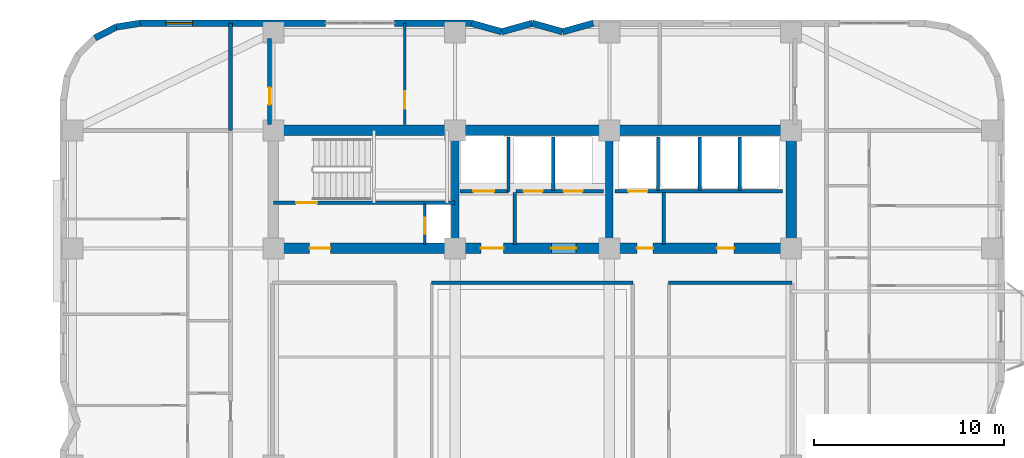
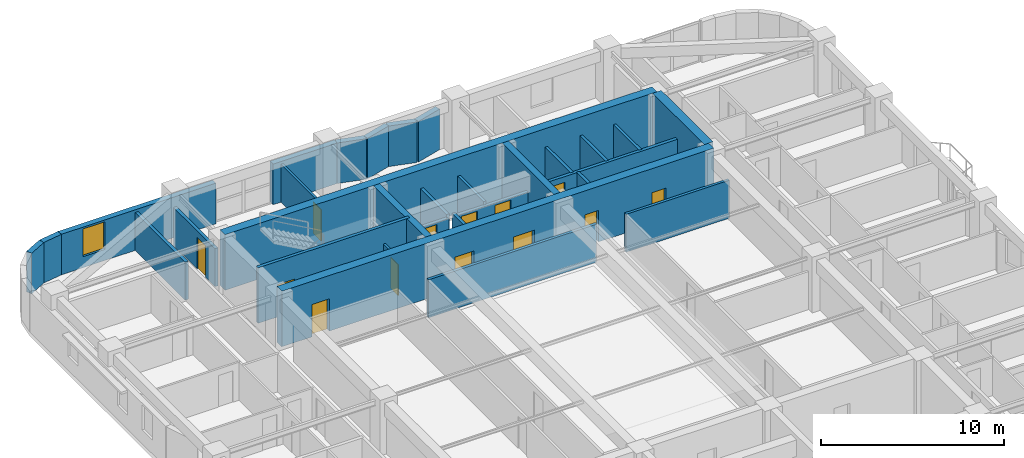
# One storey, part 11 of 15: 30 walls, 13 doors, 1 window, 14 openings.
"""IFC4 building model written with IfcOpenShell, lengths in metres."""

import ifcopenshell
import ifcopenshell.guid

model = None  # the IFC model being written
_history = None  # IfcOwnerHistory: only IFC2X3 demands one
_inside = {}  # id of a spatial element -> (the spatial element, [elements in it])
_under = {}  # id of a project, library or spatial element -> (it, [spatial elements below it])
_declared = {}  # id of a project -> (the project, [libraries it declares])
_typed = {}  # id of a type object -> (the type object, [elements of that type])
_made_of = {}  # id of a material, layer set ... -> (it, [elements and type objects made of it])


def new_model(schema):
    """Start an empty IFC model of exactly this schema.

    Asked for "IFC4X3", IfcOpenShell would pick the latest addendum, in which some entities
    have other attributes; the version numbers below select the first issue.
    IFC2X3 requires an IfcOwnerHistory on every rooted entity: one is made here for all.
    """
    global model, _history
    if schema == "IFC4X3":
        model = ifcopenshell.file(schema_version=(4, 3, 0, 0))
    else:
        model = ifcopenshell.file(schema=schema)
    _inside.clear()
    _under.clear()
    _declared.clear()
    _typed.clear()
    _made_of.clear()
    _history = None
    if model.schema == "IFC2X3":
        org = make("IfcOrganization", Name="unknown")
        user = make(
            "IfcPersonAndOrganization",
            ThePerson=make("IfcPerson", FamilyName="unknown"),
            TheOrganization=org,
        )
        app = make(
            "IfcApplication",
            ApplicationDeveloper=org,
            Version="unknown",
            ApplicationFullName="unknown",
            ApplicationIdentifier="unknown",
        )
        _history = make(
            "IfcOwnerHistory",
            OwningUser=user,
            OwningApplication=app,
            ChangeAction="ADDED",
            CreationDate=0,
        )
    return model


def make(cls, **values):
    """One entity of the class cls with the attributes given. An attribute that is None is left unset."""
    return model.create_entity(
        cls, **{name: value for name, value in values.items() if value is not None}
    )


def rooted(cls, **values):
    """An entity with a GlobalId (a new one), such as an element, a storey or a relation."""
    return make(cls, GlobalId=ifcopenshell.guid.new(), OwnerHistory=_history, **values)


def si_unit(unit_type, name, prefix=None):
    """IfcSIUnit, for example si_unit("LENGTHUNIT", "METRE", prefix="MILLI")."""
    return make("IfcSIUnit", UnitType=unit_type, Prefix=prefix, Name=name)


def assignment(units):
    """IfcUnitAssignment: the units of a project."""
    return None if units is None else make("IfcUnitAssignment", Units=units)


def point(xyz):
    """IfcCartesianPoint."""
    return None if xyz is None else make("IfcCartesianPoint", Coordinates=xyz)


def direction(xyz):
    """IfcDirection."""
    return None if xyz is None else make("IfcDirection", DirectionRatios=xyz)


def frame(location, z_axis=None, x_axis=None):
    """IfcAxis2Placement3D, a coordinate frame: its origin and axes. An axis left out is left unset."""
    return make(
        "IfcAxis2Placement3D",
        Location=point(location),
        Axis=direction(z_axis),
        RefDirection=direction(x_axis),
    )


def frame_2d(location, x_axis=None):
    """IfcAxis2Placement2D, a coordinate frame in the plane: its origin and x axis."""
    return make(
        "IfcAxis2Placement2D", Location=point(location), RefDirection=direction(x_axis)
    )


def origin():
    """The frame at (0, 0, 0) with its axes left unset."""
    return frame((0.0, 0.0, 0.0))


def place(relative_to, where):
    """IfcLocalPlacement: puts the frame where relative to a parent placement (None: the world)."""
    return make(
        "IfcLocalPlacement", PlacementRelTo=relative_to, RelativePlacement=where
    )


def context(
    kind, dimensions, precision=None, world=None, true_north=None, identifier=None
):
    """IfcGeometricRepresentationContext, for example the 3D "Model" context."""
    return make(
        "IfcGeometricRepresentationContext",
        ContextIdentifier=identifier,
        ContextType=kind,
        CoordinateSpaceDimension=dimensions,
        Precision=precision,
        WorldCoordinateSystem=world,
        TrueNorth=true_north,
    )


def subcontext(parent, identifier, kind, view, scale=None):
    """IfcGeometricRepresentationSubContext, for example "Body" below "Model"."""
    return make(
        "IfcGeometricRepresentationSubContext",
        ContextIdentifier=identifier,
        ContextType=kind,
        ParentContext=parent,
        TargetScale=scale,
        TargetView=view,
    )


def project(units=None, contexts=None):
    """IfcProject with its units and contexts."""
    return rooted(
        "IfcProject",
        Name="project",
        RepresentationContexts=contexts,
        UnitsInContext=assignment(units),
    )


def spatial(cls, under=None, at=None, **own):
    """A site, building, storey or space (cls), placed at a placement, below another one or the project."""
    s = rooted(cls, ObjectPlacement=at, **own)
    if under is not None:
        _under.setdefault(under.id(), (under, []))[1].append(s)
    return s


def profile(cls, at=None, kind="AREA", **sizes):
    """A parametric profile (cls). Its sizes go by their IFC names, for example OverallWidth=200.0."""
    return make(cls, ProfileType=kind, Position=at, **sizes)


def rectangle(**sizes):
    """IfcRectangleProfileDef."""
    return profile("IfcRectangleProfileDef", **sizes)


def extrude(swept, where, along, depth):
    """IfcExtrudedAreaSolid: the profile swept, set in the frame where, extruded along a direction by depth."""
    return make(
        "IfcExtrudedAreaSolid",
        SweptArea=swept,
        Position=where,
        ExtrudedDirection=direction(along),
        Depth=depth,
    )


def shape(context_of_items, identifier, shape_type, items):
    """IfcShapeRepresentation: the items that make up one representation, for example the "Body"."""
    return make(
        "IfcShapeRepresentation",
        ContextOfItems=context_of_items,
        RepresentationIdentifier=identifier,
        RepresentationType=shape_type,
        Items=items,
    )


def material(Name=None, Category=None):
    """IfcMaterial."""
    return make("IfcMaterial", Name=Name, Category=Category)


def layer(
    of_material, thickness, ventilated=None, Name=None, Category=None, Priority=None
):
    """IfcMaterialLayer: one layer of a wall or slab, of a material (None: an air gap)."""
    return make(
        "IfcMaterialLayer",
        Material=of_material,
        LayerThickness=thickness,
        IsVentilated=ventilated,
        Name=Name,
        Category=Category,
        Priority=Priority,
    )


def layer_set(layers, Name=None):
    """IfcMaterialLayerSet."""
    return make("IfcMaterialLayerSet", MaterialLayers=layers, LayerSetName=Name)


def made_of(thing, what):
    """Note that an element or type object is made of a material, layer set ...; save() writes the relation."""
    if what is not None:
        _made_of.setdefault(what.id(), (what, []))[1].append(thing)
    return thing


def type_object(cls, material=None, **own):
    """A type object (cls), such as IfcWallType, which elements share."""
    return made_of(rooted(cls, **own), material)


def element(
    cls,
    number,
    at=None,
    inside=None,
    cuts=None,
    type_object=None,
    material=None,
    context=None,
    identifier="Body",
    shape_type=None,
    held_by="IfcProductDefinitionShape",
    body=None,
    shapes=None,
    **own,
):
    """One element of the class cls, such as IfcWall. Its Tag is "e" and its number.

    at: its placement. inside: the storey or other place that contains it. cuts: it is an
    opening in that element (IfcRelVoidsElement). A single representation is given by context,
    identifier, shape_type and body (its items); several are given by shapes. held_by: the class
    of the entity that holds the representations. save() writes the other relations.
    """
    e = rooted(cls, Tag="e%d" % number, ObjectPlacement=at, **own)
    if body is not None:
        shapes = [shape(context, identifier, shape_type, body)]
    if shapes is not None:
        e.Representation = make(held_by, Representations=shapes)
    if inside is not None:
        _inside.setdefault(inside.id(), (inside, []))[1].append(e)
    if cuts is not None:
        rooted(
            "IfcRelVoidsElement", RelatingBuildingElement=cuts, RelatedOpeningElement=e
        )
    if type_object is not None:
        _typed.setdefault(type_object.id(), (type_object, []))[1].append(e)
    return made_of(e, material)


def fill(opening, filler):
    """IfcRelFillsElement: the door or window that sits in an opening."""
    return rooted(
        "IfcRelFillsElement",
        RelatingOpeningElement=opening,
        RelatedBuildingElement=filler,
    )


def aggregate(whole, parts):
    """IfcRelAggregates: a whole, such as a stair, and the parts it consists of."""
    return rooted("IfcRelAggregates", RelatingObject=whole, RelatedObjects=parts)


def save(model, path):
    """Write the relations noted so far, then the file.

    IfcRelAggregates (storeys below a building ...), IfcRelContainedInSpatialStructure (elements
    in a storey), IfcRelDefinesByType, IfcRelAssociatesMaterial and IfcRelDeclares: one each for
    every whole, place, type object, material and project.
    """
    for whole, parts in _under.values():
        aggregate(whole, parts)
    for where, things in _inside.values():
        rooted(
            "IfcRelContainedInSpatialStructure",
            RelatedElements=things,
            RelatingStructure=where,
        )
    for kind, things in _typed.values():
        rooted("IfcRelDefinesByType", RelatedObjects=things, RelatingType=kind)
    for what, things in _made_of.values():
        rooted("IfcRelAssociatesMaterial", RelatedObjects=things, RelatingMaterial=what)
    for by, libraries in _declared.values():
        rooted("IfcRelDeclares", RelatingContext=by, RelatedDefinitions=libraries)
    model.write(path)


model = new_model("IFC4")

# Units and contexts
model_context = context("Model", 3, precision=1e-05, world=origin(), true_north=direction((0.0, 1.0)))
body_context = subcontext(model_context, "Body", "Model", "MODEL_VIEW")
ifc_project = project(units=[si_unit("LENGTHUNIT", "METRE"), si_unit("AREAUNIT", "SQUARE_METRE"), si_unit("VOLUMEUNIT", "CUBIC_METRE"), si_unit("PLANEANGLEUNIT", "RADIAN"), si_unit("MASSUNIT", "GRAM", prefix="KILO")], contexts=[model_context])

# Site, building, storey
site_placement = place(None, origin())
site = spatial("IfcSite", under=ifc_project, at=site_placement, CompositionType="ELEMENT")
building_placement = place(site_placement, origin())
building = spatial("IfcBuilding", under=site, at=building_placement, Name="Svetorya Sky Lyceum", CompositionType="ELEMENT")
storey_placement = place(building_placement, frame((0.0, 0.0, 117.89990234375)))
storey = spatial("IfcBuildingStorey", under=building, at=storey_placement, Name="L29", CompositionType="ELEMENT", Elevation=117.89990234375)

# Walls
ifc_material_1 = material(Name="Concrete C40/50", Category="concrete")
ifc_layer_1 = layer(ifc_material_1, 0.39990234375)
ifc_layer_set_1 = layer_set([ifc_layer_1], Name="Concrete C40/50")
wall_type_1 = type_object("IfcWallType", Name="WL-CORE-400", PredefinedType="SHEAR", material=ifc_layer_set_1)
for number, where, z_axis, x_axis, name in (
    (1, (35.14990234375, 39.875, 0.0), (0.0, 0.0, 1.0), (0.0, 1.0, 0.0), "L29 NC Internal Shear Web WEB1"),
    (2, (43.25, 39.875, 0.0), (0.0, 0.0, 1.0), (0.0, 1.0, 0.0), "L29 NC Internal Shear Web WEB2"),
):
    element("IfcWall", number, at=place(storey_placement, frame(where, z_axis=z_axis, x_axis=x_axis)), inside=storey, type_object=wall_type_1, Name=name, PredefinedType="SHEAR", context=body_context, shape_type="SweptSolid", body=[
        extrude(rectangle(XDim=5.64990234375, YDim=0.39990234375, at=frame_2d((2.824951171875, 0.0))), origin(), (0.0, 0.0, 1.0), 3.7001953125),
    ])
ifc_material_2 = material(Name="Concrete C60/75", Category="concrete")
ifc_layer_2 = layer(ifc_material_2, 0.550048828125)
ifc_layer_set_2 = layer_set([ifc_layer_2], Name="Concrete C60/75")
wall_type_2 = type_object("IfcWallType", Name="WL-CORE-550", PredefinedType="SHEAR", material=ifc_layer_set_2)
wall_1_placement = place(storey_placement, frame((25.60009765625, 45.800048828125, 0.0), z_axis=(0.0, 0.0, 1.0), x_axis=(1.0, 0.0, 0.0)))
element("IfcWall", 3, at=wall_1_placement, inside=storey, type_object=wall_type_2, Name="L29 NC Outer Core Shear Wall", PredefinedType="SHEAR", context=body_context, shape_type="SweptSolid", body=[
    extrude(rectangle(XDim=27.199951171875, YDim=0.550048828125, at=frame_2d((13.60009765625, 0.0))), origin(), (0.0, 0.0, 1.0), 3.7001953125),
])
wall_2_placement = place(storey_placement, frame((52.800048828125, 39.875, 0.0), z_axis=(0.0, 0.0, 1.0), x_axis=(0.0, 1.0, 0.0)))
element("IfcWall", 4, at=wall_2_placement, inside=storey, type_object=wall_type_2, Name="L29 NC East Core Shear Wall", PredefinedType="SHEAR", context=body_context, shape_type="SweptSolid", body=[
    extrude(rectangle(XDim=5.64990234375, YDim=0.550048828125, at=frame_2d((2.824951171875, 0.0))), origin(), (0.0, 0.0, 1.0), 3.7001953125),
])

# Wall, openings, doors
wall_3_placement = place(storey_placement, frame((52.800048828125, 39.60009765625, 0.0), z_axis=(0.0, 0.0, 1.0), x_axis=(-1.0, 0.0, 0.0)))
wall_3 = element("IfcWall", 5, at=wall_3_placement, inside=storey, type_object=wall_type_2, Name="L29 NC Inner Core Shear Wall", PredefinedType="SHEAR", context=body_context, shape_type="SweptSolid", body=[
    extrude(rectangle(XDim=27.199951171875, YDim=0.550048828125, at=frame_2d((13.60009765625, 0.0))), origin(), (0.0, 0.0, 1.0), 3.7001953125),
])
opening_1_placement = place(wall_3_placement, frame((24.199951171875, 0.0, 0.0)))
opening_1 = element("IfcOpeningElement", 6, at=opening_1_placement, cuts=wall_3, Name="Opening D-ST1", PredefinedType="OPENING", context=body_context, shape_type="SweptSolid", body=[
    extrude(rectangle(XDim=1.10009765625, YDim=2.14990234375, at=frame_2d((0.550048828125, 1.074951171875))), frame((0.0, 0.284912109375, 0.0), z_axis=(0.0, -1.0, 0.0), x_axis=(1.0, 0.0, 0.0)), (0.0, 0.0, 1.0), 0.570068359375),
])
opening_2_placement = place(wall_3_placement, frame((15.10009765625, 0.0, 0.0)))
opening_2 = element("IfcOpeningElement", 7, at=opening_2_placement, cuts=wall_3, Name="Opening D-FL1", PredefinedType="OPENING", context=body_context, shape_type="SweptSolid", body=[
    extrude(rectangle(XDim=1.199951171875, YDim=2.14990234375, at=frame_2d((0.60009765625, 1.074951171875))), frame((0.0, 0.284912109375, 0.0), z_axis=(0.0, -1.0, 0.0), x_axis=(1.0, 0.0, 0.0)), (0.0, 0.0, 1.0), 0.570068359375),
])
opening_3_placement = place(wall_3_placement, frame((11.300048828125, 0.0, 0.0)))
opening_3 = element("IfcOpeningElement", 8, at=opening_3_placement, cuts=wall_3, Name="Opening D-LB1", PredefinedType="OPENING", context=body_context, shape_type="SweptSolid", body=[
    extrude(rectangle(XDim=1.300048828125, YDim=2.199951171875, at=frame_2d((0.64990234375, 1.10009765625))), frame((0.0, 0.284912109375, 0.0), z_axis=(0.0, -1.0, 0.0), x_axis=(1.0, 0.0, 0.0)), (0.0, 0.0, 1.0), 0.570068359375),
])
opening_4_placement = place(wall_3_placement, frame((7.25, 0.0, 0.0)))
opening_4 = element("IfcOpeningElement", 9, at=opening_4_placement, cuts=wall_3, Name="Opening D-CWC1", PredefinedType="OPENING", context=body_context, shape_type="SweptSolid", body=[
    extrude(rectangle(XDim=0.85009765625, YDim=2.10009765625, at=frame_2d((0.425048828125, 1.050048828125))), frame((0.0, 0.284912109375, 0.0), z_axis=(0.0, -1.0, 0.0), x_axis=(1.0, 0.0, 0.0)), (0.0, 0.0, 1.0), 0.570068359375),
])
opening_5_placement = place(wall_3_placement, frame((3.0, 0.0, 0.0)))
opening_5 = element("IfcOpeningElement", 10, at=opening_5_placement, cuts=wall_3, Name="Opening D-RM1", PredefinedType="OPENING", context=body_context, shape_type="SweptSolid", body=[
    extrude(rectangle(XDim=0.89990234375, YDim=2.10009765625, at=frame_2d((0.449951171875, 1.050048828125))), frame((0.0, 0.284912109375, 0.0), z_axis=(0.0, -1.0, 0.0), x_axis=(1.0, 0.0, 0.0)), (0.0, 0.0, 1.0), 0.570068359375),
])
ifc_material_3 = material(Name="Fire-rated galvanized steel core service closet door", Category="steel")
door_type_1 = type_object("IfcDoorType", Name="DR-CWET-850", OperationType="SINGLE_SWING_LEFT", PredefinedType="DOOR", material=ifc_material_3)
door_1_placement = place(opening_4_placement, origin())
door_1 = element("IfcDoor", 11, at=door_1_placement, inside=storey, type_object=door_type_1, Name="L29 Mid-Rise Lift PM3 Lobby Door", OperationType="SINGLE_SWING_LEFT", OverallHeight=2.10009765625, OverallWidth=0.85009765625, PredefinedType="DOOR", context=body_context, shape_type="SweptSolid", body=[
    extrude(rectangle(XDim=0.85009765625, YDim=2.10009765625, at=frame_2d((0.425048828125, 1.050048828125))), frame((0.0, 0.02490234375, 0.0), z_axis=(0.0, -1.0, 0.0), x_axis=(1.0, 0.0, 0.0)), (0.0, 0.0, 1.0), 0.050048828125),
])
fill(opening_4, door_1)
ifc_material_4 = material(Name="Powder-coated insulated galvanized stair fire door")
door_type_2 = type_object("IfcDoorType", Name="DR-FIRE-1100", OperationType="SINGLE_SWING_LEFT", PredefinedType="DOOR", material=ifc_material_4)
door_2_placement = place(opening_1_placement, origin())
door_2 = element("IfcDoor", 12, at=door_2_placement, inside=storey, type_object=door_type_2, Name="L29 North Stair Airlock Door", OperationType="SINGLE_SWING_LEFT", OverallHeight=2.14990234375, OverallWidth=1.10009765625, PredefinedType="DOOR", context=body_context, shape_type="SweptSolid", body=[
    extrude(rectangle(XDim=1.10009765625, YDim=2.14990234375, at=frame_2d((0.550048828125, 1.074951171875))), frame((0.0, 0.02490234375, 0.0), z_axis=(0.0, -1.0, 0.0), x_axis=(1.0, 0.0, 0.0)), (0.0, 0.0, 1.0), 0.050048828125),
])
fill(opening_1, door_2)
ifc_material_5 = material(Name="Powder-coated insulated galvanized fire door")
door_type_3 = type_object("IfcDoorType", Name="DR-FIRE-1200", OperationType="SINGLE_SWING_LEFT", PredefinedType="DOOR", material=ifc_material_5)
door_3_placement = place(opening_2_placement, origin())
door_3 = element("IfcDoor", 13, at=door_3_placement, inside=storey, type_object=door_type_3, Name="L29 North Firefighting Lift Lobby Door", OperationType="SINGLE_SWING_RIGHT", OverallHeight=2.14990234375, OverallWidth=1.199951171875, PredefinedType="DOOR", context=body_context, shape_type="SweptSolid", body=[
    extrude(rectangle(XDim=1.199951171875, YDim=2.14990234375, at=frame_2d((0.60009765625, 1.074951171875))), frame((0.0, 0.02490234375, 0.0), z_axis=(0.0, -1.0, 0.0), x_axis=(1.0, 0.0, 0.0)), (0.0, 0.0, 1.0), 0.050048828125),
])
fill(opening_2, door_3)
ifc_material_6 = material(Name="Lacquered birch veneer internal door")
door_type_4 = type_object("IfcDoorType", Name="DR-INT-900", OperationType="SINGLE_SWING_LEFT", PredefinedType="DOOR", material=ifc_material_6)
door_4_placement = place(opening_5_placement, origin())
door_4 = element("IfcDoor", 14, at=door_4_placement, inside=storey, type_object=door_type_4, Name="L29 Mid-Rise Store Door", OperationType="SINGLE_SWING_RIGHT", OverallHeight=2.10009765625, OverallWidth=0.89990234375, PredefinedType="DOOR", context=body_context, shape_type="SweptSolid", body=[
    extrude(rectangle(XDim=0.89990234375, YDim=2.10009765625, at=frame_2d((0.449951171875, 1.050048828125))), frame((0.0, 0.02490234375, 0.0), z_axis=(0.0, -1.0, 0.0), x_axis=(1.0, 0.0, 0.0)), (0.0, 0.0, 1.0), 0.050048828125),
])
fill(opening_5, door_4)
ifc_material_7 = material(Name="Glazed fire-rated aluminium lobby door", Category="aluminium")
door_type_5 = type_object("IfcDoorType", Name="DR-LOB-1300", OperationType="SINGLE_SWING_LEFT", PredefinedType="DOOR", material=ifc_material_7)
door_5_placement = place(opening_3_placement, origin())
door_5 = element("IfcDoor", 15, at=door_5_placement, inside=storey, type_object=door_type_5, Name="L29 Mid-Rise Lift Lobby West Door", OperationType="SINGLE_SWING_LEFT", OverallHeight=2.199951171875, OverallWidth=1.300048828125, PredefinedType="DOOR", context=body_context, shape_type="SweptSolid", body=[
    extrude(rectangle(XDim=1.300048828125, YDim=2.199951171875, at=frame_2d((0.64990234375, 1.10009765625))), frame((0.0, 0.02490234375, 0.0), z_axis=(0.0, -1.0, 0.0), x_axis=(1.0, 0.0, 0.0)), (0.0, 0.0, 1.0), 0.050048828125),
])
fill(opening_3, door_5)

# Walls
ifc_material_8 = material(Name="Putilovo limestone rainscreen on autoclaved cellular masonry", Category="masonry")
ifc_layer_3 = layer(ifc_material_8, 0.340087890625)
ifc_layer_set_3 = layer_set([ifc_layer_3], Name="Putilovo limestone rainscreen on autoclaved cellular masonry")
wall_type_3 = type_object("IfcWallType", Name="WL-EXT-340", PredefinedType="SOLIDWALL", material=ifc_layer_set_3)
wall_4_placement = place(storey_placement, frame((42.39990234375, 51.429931640625, 0.0), z_axis=(0.0, 0.0, 1.0), x_axis=(-0.962652136636, -0.270741322725, 0.0)))
element("IfcWall", 16, at=wall_4_placement, inside=storey, type_object=wall_type_3, Name="L29 Limestone Exterior Wall 30M", PredefinedType="SOLIDWALL", context=body_context, shape_type="SweptSolid", body=[
    extrude(rectangle(XDim=1.661865234375, YDim=0.340087890625, at=frame_2d((0.8310546875, 0.0))), origin(), (0.0, 0.0, 1.0), 2.7001953125),
])
wall_5_placement = place(storey_placement, frame((40.800048828125, 50.97998046875, 0.0), z_axis=(0.0, 0.0, 1.0), x_axis=(-0.962662902433, 0.270703040766, 0.0)))
element("IfcWall", 17, at=wall_5_placement, inside=storey, type_object=wall_type_3, Name="L29 Limestone Exterior Wall 31M", PredefinedType="SOLIDWALL", context=body_context, shape_type="SweptSolid", body=[
    extrude(rectangle(XDim=1.662109375, YDim=0.340087890625, at=frame_2d((0.8310546875, 0.0))), origin(), (0.0, 0.0, 1.0), 2.7001953125),
])
wall_6_placement = place(storey_placement, frame((39.199951171875, 51.429931640625, 0.0), z_axis=(0.0, 0.0, 1.0), x_axis=(-0.962652136636, -0.270741322725, 0.0)))
element("IfcWall", 18, at=wall_6_placement, inside=storey, type_object=wall_type_3, Name="L29 Limestone Exterior Wall 32M", PredefinedType="SOLIDWALL", context=body_context, shape_type="SweptSolid", body=[
    extrude(rectangle(XDim=1.661865234375, YDim=0.340087890625, at=frame_2d((0.8310546875, 0.0))), origin(), (0.0, 0.0, 1.0), 2.7001953125),
])
wall_7_placement = place(storey_placement, frame((37.60009765625, 50.97998046875, 0.0), z_axis=(0.0, 0.0, 1.0), x_axis=(-0.962662902433, 0.270703040766, 0.0)))
element("IfcWall", 19, at=wall_7_placement, inside=storey, type_object=wall_type_3, Name="L29 Limestone Exterior Wall 33M", PredefinedType="SOLIDWALL", context=body_context, shape_type="SweptSolid", body=[
    extrude(rectangle(XDim=1.662109375, YDim=0.340087890625, at=frame_2d((0.8310546875, 0.0))), origin(), (0.0, 0.0, 1.0), 2.7001953125),
])
wall_8_placement = place(storey_placement, frame((36.0, 51.429931640625, 0.0), z_axis=(0.0, 0.0, 1.0), x_axis=(-1.0, 0.0, 0.0)))
element("IfcWall", 20, at=wall_8_placement, inside=storey, type_object=wall_type_3, Name="L29 Limestone Exterior Wall 34A", PredefinedType="SOLIDWALL", context=body_context, shape_type="SweptSolid", body=[
    extrude(rectangle(XDim=4.050048828125, YDim=0.340087890625, at=frame_2d((2.02490234375, 0.0))), origin(), (0.0, 0.0, 1.0), 2.7001953125),
])

# Wall, opening, window
wall_9_placement = place(storey_placement, frame((28.35009765625, 51.429931640625, 0.0), z_axis=(0.0, 0.0, 1.0), x_axis=(-1.0, 0.0, 0.0)))
wall_9 = element("IfcWall", 21, at=wall_9_placement, inside=storey, type_object=wall_type_3, Name="L29 Limestone Exterior Wall 34B", PredefinedType="SOLIDWALL", context=body_context, shape_type="SweptSolid", body=[
    extrude(rectangle(XDim=9.75, YDim=0.340087890625, at=frame_2d((4.875, 0.0))), origin(), (0.0, 0.0, 1.0), 2.7001953125),
])
opening_6_placement = place(wall_9_placement, frame((6.99169921875, 0.0, 0.72998046875)))
opening_6 = element("IfcOpeningElement", 22, at=opening_6_placement, cuts=wall_9, Name="Opening W-R2", PredefinedType="OPENING", context=body_context, shape_type="SweptSolid", body=[
    extrude(rectangle(XDim=1.39990234375, YDim=1.85009765625, at=frame_2d((0.699951171875, 0.925048828125))), frame((0.0, 0.179931640625, 0.0), z_axis=(0.0, -1.0, 0.0), x_axis=(1.0, 0.0, 0.0)), (0.0, 0.0, 1.0), 0.360107421875),
])
ifc_material_9 = material(Name="Thermally broken aluminium frame with triple low-E glazing", Category="aluminium")
window_type = type_object("IfcWindowType", Name="WN-RES-140", PartitioningType="SINGLE_PANEL", PredefinedType="WINDOW", material=ifc_material_9)
window_placement = place(opening_6_placement, origin())
window = element("IfcWindow", 23, at=window_placement, inside=storey, type_object=window_type, Name="L29 Facade Window W-R2.34B.1", OverallHeight=1.85009765625, OverallWidth=1.39990234375, PartitioningType="SINGLE_PANEL", PredefinedType="WINDOW", context=body_context, shape_type="SweptSolid", body=[
    extrude(rectangle(XDim=1.39990234375, YDim=1.85009765625, at=frame_2d((0.699951171875, 0.925048828125))), frame((0.0, 0.030029296875, 0.0), z_axis=(0.0, -1.0, 0.0), x_axis=(1.0, 0.0, 0.0)), (0.0, 0.0, 1.0), 0.06005859375),
])
fill(opening_6, window)

# Walls
wall_10_placement = place(storey_placement, frame((18.60009765625, 51.429931640625, 0.0), z_axis=(0.0, 0.0, 1.0), x_axis=(-0.98771582066, -0.156260864002, 0.0)))
element("IfcWall", 24, at=wall_10_placement, inside=storey, type_object=wall_type_3, Name="L29 Limestone Exterior Wall 35M", PredefinedType="SOLIDWALL", context=body_context, shape_type="SweptSolid", body=[
    extrude(rectangle(XDim=1.2607421875, YDim=0.340087890625, at=frame_2d((0.63037109375, 0.0))), origin(), (0.0, 0.0, 1.0), 2.7001953125),
])
wall_11_placement = place(storey_placement, frame((17.354736328125, 51.23291015625, 0.0), z_axis=(0.0, 0.0, 1.0), x_axis=(-0.890993689142, -0.454015689056, 0.0)))
element("IfcWall", 25, at=wall_11_placement, inside=storey, type_object=wall_type_3, Name="L29 Limestone Exterior Wall 36M", PredefinedType="SOLIDWALL", context=body_context, shape_type="SweptSolid", body=[
    extrude(rectangle(XDim=1.260986328125, YDim=0.340087890625, at=frame_2d((0.63037109375, 0.0))), origin(), (0.0, 0.0, 1.0), 2.7001953125),
])

# Wall, opening, door
ifc_material_10 = material(Name="Autoclaved cellular masonry blockwork with acoustic render", Category="masonry")
ifc_layer_4 = layer(ifc_material_10, 0.14990234375)
ifc_layer_set_4 = layer_set([ifc_layer_4], Name="Autoclaved cellular masonry blockwork with acoustic render")
wall_type_4 = type_object("IfcWallType", Name="WL-PART-150", PredefinedType="PARTITIONING", material=ifc_layer_set_4)
wall_12_placement = place(storey_placement, frame((33.550048828125, 39.820068359375, 0.0), z_axis=(0.0, 0.0, 1.0), x_axis=(0.0, 1.0, 0.0)))
wall_12 = element("IfcWall", 26, at=wall_12_placement, inside=storey, type_object=wall_type_4, Name="L29 Interior Partition NC-RSRW", PredefinedType="PARTITIONING", context=body_context, shape_type="SweptSolid", body=[
    extrude(rectangle(XDim=2.1298828125, YDim=0.14990234375, at=frame_2d((1.06494140625, 0.0))), origin(), (0.0, 0.0, 1.0), 2.530029296875),
])
opening_7_placement = place(wall_12_placement, frame((0.550048828125, 0.0, 0.0)))
opening_7 = element("IfcOpeningElement", 27, at=opening_7_placement, cuts=wall_12, Name="Opening D-SH1", PredefinedType="OPENING", context=body_context, shape_type="SweptSolid", body=[
    extrude(rectangle(XDim=0.85009765625, YDim=2.050048828125, at=frame_2d((0.425048828125, 1.02490234375))), frame((0.0, 0.0849609375, 0.0), z_axis=(0.0, -1.0, 0.0), x_axis=(1.0, 0.0, 0.0)), (0.0, 0.0, 1.0), 0.169921875),
])
ifc_material_11 = material(Name="Insulated galvanized riser inspection fire door")
door_type_6 = type_object("IfcDoorType", Name="DR-SHFT-850", OperationType="SINGLE_SWING_LEFT", PredefinedType="TRAPDOOR", material=ifc_material_11)
door_6_placement = place(opening_7_placement, origin())
door_6 = element("IfcDoor", 28, at=door_6_placement, inside=storey, type_object=door_type_6, Name="L29 North Riser Access Door", OperationType="SINGLE_SWING_LEFT", OverallHeight=2.050048828125, OverallWidth=0.85009765625, PredefinedType="TRAPDOOR", context=body_context, shape_type="SweptSolid", body=[
    extrude(rectangle(XDim=0.85009765625, YDim=2.050048828125, at=frame_2d((0.425048828125, 1.02490234375))), frame((0.0, 0.02490234375, 0.0), z_axis=(0.0, -1.0, 0.0), x_axis=(1.0, 0.0, 0.0)), (0.0, 0.0, 1.0), 0.050048828125),
])
fill(opening_7, door_6)

wall_13_placement = place(storey_placement, frame((32.5, 46.10009765625, 0.0), z_axis=(0.0, 0.0, 1.0), x_axis=(0.0, 1.0, 0.0)))
wall_13 = element("IfcWall", 29, at=wall_13_placement, inside=storey, type_object=wall_type_4, Name="L29 Interior Partition N-D1", PredefinedType="PARTITIONING", context=body_context, shape_type="SweptSolid", body=[
    extrude(rectangle(XDim=5.329833984375, YDim=0.14990234375, at=frame_2d((2.6650390625, 0.0))), origin(), (0.0, 0.0, 1.0), 2.530029296875),
])
opening_8_placement = place(wall_13_placement, frame((0.85009765625, 0.0, 0.0)))
opening_8 = element("IfcOpeningElement", 30, at=opening_8_placement, cuts=wall_13, Name="Opening D-RM1", PredefinedType="OPENING", context=body_context, shape_type="SweptSolid", body=[
    extrude(rectangle(XDim=0.89990234375, YDim=2.10009765625, at=frame_2d((0.449951171875, 1.050048828125))), frame((0.0, 0.0849609375, 0.0), z_axis=(0.0, -1.0, 0.0), x_axis=(1.0, 0.0, 0.0)), (0.0, 0.0, 1.0), 0.169921875),
])
door_7_placement = place(opening_8_placement, origin())
door_7 = element("IfcDoor", 31, at=door_7_placement, inside=storey, type_object=door_type_4, Name="L29 North Store Door", OperationType="SINGLE_SWING_RIGHT", OverallHeight=2.10009765625, OverallWidth=0.89990234375, PredefinedType="DOOR", context=body_context, shape_type="SweptSolid", body=[
    extrude(rectangle(XDim=0.89990234375, YDim=2.10009765625, at=frame_2d((0.449951171875, 1.050048828125))), frame((0.0, 0.02490234375, 0.0), z_axis=(0.0, -1.0, 0.0), x_axis=(1.0, 0.0, 0.0)), (0.0, 0.0, 1.0), 0.050048828125),
])
fill(opening_8, door_7)

# Walls
ifc_material_12 = material(Name="Autoclaved cellular masonry blockwork with fire render", Category="masonry")
ifc_layer_5 = layer(ifc_material_12, 0.175048828125)
ifc_layer_set_5 = layer_set([ifc_layer_5], Name="Autoclaved cellular masonry blockwork with fire render")
wall_type_5 = type_object("IfcWallType", Name="WL-PART-175", PredefinedType="PARTITIONING", material=ifc_layer_set_5)
wall_14_placement = place(storey_placement, frame((37.949951171875, 42.60009765625, 0.0), z_axis=(0.0, 0.0, 1.0), x_axis=(0.0, 1.0, 0.0)))
element("IfcWall", 32, at=wall_14_placement, inside=storey, type_object=wall_type_5, Name="L29 Interior Partition NC-FL1SIDE", PredefinedType="PARTITIONING", context=body_context, shape_type="SweptSolid", body=[
    extrude(rectangle(XDim=2.849853515625, YDim=0.175048828125, at=frame_2d((1.4248046875, 0.0))), origin(), (0.0, 0.0, 1.0), 2.530029296875),
])
for number, where, z_axis, x_axis, name in (
    (33, (40.300048828125, 42.64990234375, 0.0), (0.0, 0.0, 1.0), (0.0, 1.0, 0.0), "L29 Interior Partition NC-PM-D1"),
    (34, (45.800048828125, 42.64990234375, 0.0), (0.0, 0.0, 1.0), (0.0, 1.0, 0.0), "L29 Interior Partition NC-PM3-D"),
    (35, (48.0, 42.64990234375, 0.0), (0.0, 0.0, 1.0), (0.0, 1.0, 0.0), "L29 Interior Partition NC-PH-D1"),
    (36, (50.10009765625, 42.64990234375, 0.0), (0.0, 0.0, 1.0), (0.0, 1.0, 0.0), "L29 Interior Partition NC-PH-D2"),
):
    element("IfcWall", number, at=place(storey_placement, frame(where, z_axis=z_axis, x_axis=x_axis)), inside=storey, type_object=wall_type_5, Name=name, PredefinedType="PARTITIONING", context=body_context, shape_type="SweptSolid", body=[
        extrude(rectangle(XDim=2.800048828125, YDim=0.175048828125, at=frame_2d((1.39990234375, 0.0))), origin(), (0.0, 0.0, 1.0), 2.530029296875),
    ])
wall_15_placement = place(storey_placement, frame((46.10009765625, 39.820068359375, 0.0), z_axis=(0.0, 0.0, 1.0), x_axis=(0.0, 1.0, 0.0)))
element("IfcWall", 37, at=wall_15_placement, inside=storey, type_object=wall_type_5, Name="L29 Interior Partition NC-PM3SEP", PredefinedType="PARTITIONING", context=body_context, shape_type="SweptSolid", body=[
    extrude(rectangle(XDim=2.72998046875, YDim=0.175048828125, at=frame_2d((1.364990234375, 0.0))), origin(), (0.0, 0.0, 1.0), 2.530029296875),
])
wall_16_placement = place(storey_placement, frame((33.89990234375, 37.800048828125, 0.0), z_axis=(0.0, 0.0, 1.0), x_axis=(1.0, 0.0, 0.0)))
element("IfcWall", 38, at=wall_16_placement, inside=storey, type_object=wall_type_5, Name="L29 Interior Partition RL-CN-M", PredefinedType="PARTITIONING", context=body_context, shape_type="SweptSolid", body=[
    extrude(rectangle(XDim=10.60009765625, YDim=0.175048828125, at=frame_2d((5.300048828125, 0.0))), origin(), (0.0, 0.0, 1.0), 2.530029296875),
])
wall_17_placement = place(storey_placement, frame((46.35009765625, 37.800048828125, 0.0), z_axis=(0.0, 0.0, 1.0), x_axis=(1.0, 0.0, 0.0)))
element("IfcWall", 39, at=wall_17_placement, inside=storey, type_object=wall_type_5, Name="L29 Interior Partition RL-CN-E", PredefinedType="PARTITIONING", context=body_context, shape_type="SweptSolid", body=[
    extrude(rectangle(XDim=6.5, YDim=0.175048828125, at=frame_2d((3.25, 0.0))), origin(), (0.0, 0.0, 1.0), 2.530029296875),
])

# Wall, opening, door
ifc_material_13 = material(Name="Autoclaved cellular masonry blockwork with gypsum plaster", Category="masonry")
ifc_layer_6 = layer(ifc_material_13, 0.199951171875)
ifc_layer_set_6 = layer_set([ifc_layer_6], Name="Autoclaved cellular masonry blockwork with gypsum plaster")
wall_type_6 = type_object("IfcWallType", Name="WL-PART-200", PredefinedType="PARTITIONING", material=ifc_layer_set_6)
wall_18_placement = place(storey_placement, frame((37.949951171875, 42.60009765625, 0.0), z_axis=(0.0, 0.0, 1.0), x_axis=(-1.0, 0.0, 0.0)))
wall_18 = element("IfcWall", 40, at=wall_18_placement, inside=storey, type_object=wall_type_6, Name="L29 Interior Partition NC-FL1W", PredefinedType="PARTITIONING", context=body_context, shape_type="SweptSolid", body=[
    extrude(rectangle(XDim=2.550048828125, YDim=0.199951171875, at=frame_2d((1.27490234375, 0.0))), origin(), (0.0, 0.0, 1.0), 2.300048828125),
])
opening_9_placement = place(wall_18_placement, frame((0.75, 0.0, 0.0)))
opening_9 = element("IfcOpeningElement", 41, at=opening_9_placement, cuts=wall_18, Name="Opening LD-FL", PredefinedType="OPENING", context=body_context, shape_type="SweptSolid", body=[
    extrude(rectangle(XDim=1.10009765625, YDim=2.14990234375, at=frame_2d((0.550048828125, 1.074951171875))), frame((0.0, 0.10986328125, 0.0), z_axis=(0.0, -1.0, 0.0), x_axis=(1.0, 0.0, 0.0)), (0.0, 0.0, 1.0), 0.219970703125),
])
ifc_material_14 = material(Name="Fire-rated stainless AISI 304 firefighting lift landing door")
door_type_7 = type_object("IfcDoorType", Name="DR-LIFT-1100", OperationType="SLIDING_TO_LEFT", PredefinedType="DOOR", material=ifc_material_14)
door_8_placement = place(opening_9_placement, origin())
door_8 = element("IfcDoor", 42, at=door_8_placement, inside=storey, type_object=door_type_7, Name="L29 Firefighting Lift FL1 Landing Door", OperationType="SLIDING_TO_LEFT", OverallHeight=2.14990234375, OverallWidth=1.10009765625, PredefinedType="DOOR", context=body_context, shape_type="SweptSolid", body=[
    extrude(rectangle(XDim=1.10009765625, YDim=2.14990234375, at=frame_2d((0.550048828125, 1.074951171875))), frame((0.0, 0.02490234375, 0.0), z_axis=(0.0, -1.0, 0.0), x_axis=(1.0, 0.0, 0.0)), (0.0, 0.0, 1.0), 0.050048828125),
])
fill(opening_9, door_8)

# Wall
wall_19_placement = place(storey_placement, frame((38.280029296875, 39.820068359375, 0.0), z_axis=(0.0, 0.0, 1.0), x_axis=(0.0, 1.0, 0.0)))
element("IfcWall", 43, at=wall_19_placement, inside=storey, type_object=wall_type_6, Name="L29 Interior Partition NC-FFLDIV", PredefinedType="PARTITIONING", context=body_context, shape_type="SweptSolid", body=[
    extrude(rectangle(XDim=2.72998046875, YDim=0.199951171875, at=frame_2d((1.364990234375, 0.0))), origin(), (0.0, 0.0, 1.0), 2.530029296875),
])

# Wall, openings, doors
wall_20_placement = place(storey_placement, frame((42.949951171875, 42.60009765625, 0.0), z_axis=(0.0, 0.0, 1.0), x_axis=(-1.0, 0.0, 0.0)))
wall_20 = element("IfcWall", 44, at=wall_20_placement, inside=storey, type_object=wall_type_6, Name="L29 Interior Partition NC-PM12W", PredefinedType="PARTITIONING", context=body_context, shape_type="SweptSolid", body=[
    extrude(rectangle(XDim=4.599853515625, YDim=0.199951171875, at=frame_2d((2.2998046875, 0.0))), origin(), (0.0, 0.0, 1.0), 2.300048828125),
])
opening_10_placement = place(wall_20_placement, frame((3.199951171875, 0.0, 0.0)))
opening_10 = element("IfcOpeningElement", 45, at=opening_10_placement, cuts=wall_20, Name="Opening LD-P1", PredefinedType="OPENING", context=body_context, shape_type="SweptSolid", body=[
    extrude(rectangle(XDim=1.0, YDim=2.14990234375, at=frame_2d((0.5, 1.074951171875))), frame((0.0, 0.10986328125, 0.0), z_axis=(0.0, -1.0, 0.0), x_axis=(1.0, 0.0, 0.0)), (0.0, 0.0, 1.0), 0.219970703125),
])
opening_11_placement = place(wall_20_placement, frame((1.10009765625, 0.0, 0.0)))
opening_11 = element("IfcOpeningElement", 46, at=opening_11_placement, cuts=wall_20, Name="Opening LD-P1", PredefinedType="OPENING", context=body_context, shape_type="SweptSolid", body=[
    extrude(rectangle(XDim=1.0, YDim=2.14990234375, at=frame_2d((0.5, 1.074951171875))), frame((0.0, 0.10986328125, 0.0), z_axis=(0.0, -1.0, 0.0), x_axis=(1.0, 0.0, 0.0)), (0.0, 0.0, 1.0), 0.219970703125),
])
ifc_material_15 = material(Name="Champagne-anodized stainless passenger lift landing door")
door_type_8 = type_object("IfcDoorType", Name="DR-LIFT-1000", OperationType="SLIDING_TO_LEFT", PredefinedType="DOOR", material=ifc_material_15)
door_9_placement = place(opening_10_placement, origin())
door_9 = element("IfcDoor", 47, at=door_9_placement, inside=storey, type_object=door_type_8, Name="L29 Passenger Lift PM1 Landing Door", OperationType="SLIDING_TO_LEFT", OverallHeight=2.14990234375, OverallWidth=1.0, PredefinedType="DOOR", context=body_context, shape_type="SweptSolid", body=[
    extrude(rectangle(XDim=1.0, YDim=2.14990234375, at=frame_2d((0.5, 1.074951171875))), frame((0.0, 0.02490234375, 0.0), z_axis=(0.0, -1.0, 0.0), x_axis=(1.0, 0.0, 0.0)), (0.0, 0.0, 1.0), 0.050048828125),
])
fill(opening_10, door_9)
door_10_placement = place(opening_11_placement, origin())
door_10 = element("IfcDoor", 48, at=door_10_placement, inside=storey, type_object=door_type_8, Name="L29 Passenger Lift PM2 Landing Door", OperationType="SLIDING_TO_LEFT", OverallHeight=2.14990234375, OverallWidth=1.0, PredefinedType="DOOR", context=body_context, shape_type="SweptSolid", body=[
    extrude(rectangle(XDim=1.0, YDim=2.14990234375, at=frame_2d((0.5, 1.074951171875))), frame((0.0, 0.02490234375, 0.0), z_axis=(0.0, -1.0, 0.0), x_axis=(1.0, 0.0, 0.0)), (0.0, 0.0, 1.0), 0.050048828125),
])
fill(opening_11, door_10)

# Wall, opening, door
wall_21_placement = place(storey_placement, frame((52.35009765625, 42.60009765625, 0.0), z_axis=(0.0, 0.0, 1.0), x_axis=(-1.0, 0.0, 0.0)))
wall_21 = element("IfcWall", 49, at=wall_21_placement, inside=storey, type_object=wall_type_6, Name="L29 Interior Partition NC-PHEW", PredefinedType="PARTITIONING", context=body_context, shape_type="SweptSolid", body=[
    extrude(rectangle(XDim=8.800048828125, YDim=0.199951171875, at=frame_2d((4.39990234375, 0.0))), origin(), (0.0, 0.0, 1.0), 2.530029296875),
])
opening_12_placement = place(wall_21_placement, frame((7.10009765625, 0.0, 0.0)))
opening_12 = element("IfcOpeningElement", 50, at=opening_12_placement, cuts=wall_21, Name="Opening LD-P1", PredefinedType="OPENING", context=body_context, shape_type="SweptSolid", body=[
    extrude(rectangle(XDim=1.0, YDim=2.14990234375, at=frame_2d((0.5, 1.074951171875))), frame((0.0, 0.10986328125, 0.0), z_axis=(0.0, -1.0, 0.0), x_axis=(1.0, 0.0, 0.0)), (0.0, 0.0, 1.0), 0.219970703125),
])
door_11_placement = place(opening_12_placement, origin())
door_11 = element("IfcDoor", 51, at=door_11_placement, inside=storey, type_object=door_type_8, Name="L29 Passenger Lift PM3 Landing Door", OperationType="SLIDING_TO_LEFT", OverallHeight=2.14990234375, OverallWidth=1.0, PredefinedType="DOOR", context=body_context, shape_type="SweptSolid", body=[
    extrude(rectangle(XDim=1.0, YDim=2.14990234375, at=frame_2d((0.5, 1.074951171875))), frame((0.0, 0.02490234375, 0.0), z_axis=(0.0, -1.0, 0.0), x_axis=(1.0, 0.0, 0.0)), (0.0, 0.0, 1.0), 0.050048828125),
])
fill(opening_12, door_11)

# Wall
wall_22_placement = place(storey_placement, frame((23.35009765625, 45.800048828125, 0.0), z_axis=(0.0, 0.0, 1.0), x_axis=(0.0, 1.0, 0.0)))
element("IfcWall", 52, at=wall_22_placement, inside=storey, type_object=wall_type_6, Name="L29 Interior Partition WC-NW-END", PredefinedType="PARTITIONING", context=body_context, shape_type="SweptSolid", body=[
    extrude(rectangle(XDim=5.6298828125, YDim=0.199951171875, at=frame_2d((2.81494140625, 0.0))), origin(), (0.0, 0.0, 1.0), 2.530029296875),
])

# Wall, opening, door
wall_23_placement = place(storey_placement, frame((25.39990234375, 46.10009765625, 0.0), z_axis=(0.0, 0.0, 1.0), x_axis=(0.0, 1.0, 0.0)))
wall_23 = element("IfcWall", 53, at=wall_23_placement, inside=storey, type_object=wall_type_6, Name="L29 Interior Partition N-EW", PredefinedType="PARTITIONING", context=body_context, shape_type="SweptSolid", body=[
    extrude(rectangle(XDim=4.52978515625, YDim=0.199951171875, at=frame_2d((2.264892578125, 0.0))), origin(), (0.0, 0.0, 1.0), 2.530029296875),
])
opening_13_placement = place(wall_23_placement, frame((1.050048828125, 0.0, 0.0)))
opening_13 = element("IfcOpeningElement", 54, at=opening_13_placement, cuts=wall_23, Name="Opening D-RM1", PredefinedType="OPENING", context=body_context, shape_type="SweptSolid", body=[
    extrude(rectangle(XDim=0.89990234375, YDim=2.10009765625, at=frame_2d((0.449951171875, 1.050048828125))), frame((0.0, 0.10986328125, 0.0), z_axis=(0.0, -1.0, 0.0), x_axis=(1.0, 0.0, 0.0)), (0.0, 0.0, 1.0), 0.219970703125),
])
door_12_placement = place(opening_13_placement, origin())
door_12 = element("IfcDoor", 55, at=door_12_placement, inside=storey, type_object=door_type_4, Name="L29 North Study Door", OperationType="SINGLE_SWING_RIGHT", OverallHeight=2.10009765625, OverallWidth=0.89990234375, PredefinedType="DOOR", context=body_context, shape_type="SweptSolid", body=[
    extrude(rectangle(XDim=0.89990234375, YDim=2.10009765625, at=frame_2d((0.449951171875, 1.050048828125))), frame((0.0, 0.02490234375, 0.0), z_axis=(0.0, -1.0, 0.0), x_axis=(1.0, 0.0, 0.0)), (0.0, 0.0, 1.0), 0.050048828125),
])
fill(opening_13, door_12)

ifc_material_16 = material(Name="Concrete C50/60", Category="concrete")
ifc_layer_7 = layer(ifc_material_16, 0.199951171875)
ifc_layer_set_7 = layer_set([ifc_layer_7], Name="Concrete C50/60")
wall_type_7 = type_object("IfcWallType", Name="WL-SHW-200", PredefinedType="SHEAR", material=ifc_layer_set_7)
wall_24_placement = place(storey_placement, frame((35.14990234375, 42.0, 0.0), z_axis=(0.0, 0.0, 1.0), x_axis=(-1.0, 0.0, 0.0)))
wall_24 = element("IfcWall", 56, at=wall_24_placement, inside=storey, type_object=wall_type_7, Name="L29 Structural Stair Shaft Wall NC-STW", PredefinedType="SHEAR", context=body_context, shape_type="SweptSolid", body=[
    extrude(rectangle(XDim=9.5498046875, YDim=0.199951171875, at=frame_2d((4.77490234375, 0.0))), origin(), (0.0, 0.0, 1.0), 3.7001953125),
])
opening_14_placement = place(wall_24_placement, frame((7.25, 0.0, 0.0)))
opening_14 = element("IfcOpeningElement", 57, at=opening_14_placement, cuts=wall_24, Name="Opening D-ST1", PredefinedType="OPENING", context=body_context, shape_type="SweptSolid", body=[
    extrude(rectangle(XDim=1.10009765625, YDim=2.14990234375, at=frame_2d((0.550048828125, 1.074951171875))), frame((0.0, 0.10986328125, 0.0), z_axis=(0.0, -1.0, 0.0), x_axis=(1.0, 0.0, 0.0)), (0.0, 0.0, 1.0), 0.219970703125),
])
door_13_placement = place(opening_14_placement, origin())
door_13 = element("IfcDoor", 58, at=door_13_placement, inside=storey, type_object=door_type_2, Name="L29 Stair ST-N Vestibule Fire Door", OperationType="SINGLE_SWING_RIGHT", OverallHeight=2.14990234375, OverallWidth=1.10009765625, PredefinedType="DOOR", context=body_context, shape_type="SweptSolid", body=[
    extrude(rectangle(XDim=1.10009765625, YDim=2.14990234375, at=frame_2d((0.550048828125, 1.074951171875))), frame((0.0, 0.02490234375, 0.0), z_axis=(0.0, -1.0, 0.0), x_axis=(1.0, 0.0, 0.0)), (0.0, 0.0, 1.0), 0.050048828125),
])
fill(opening_14, door_13)

save(model, "model.ifc")
